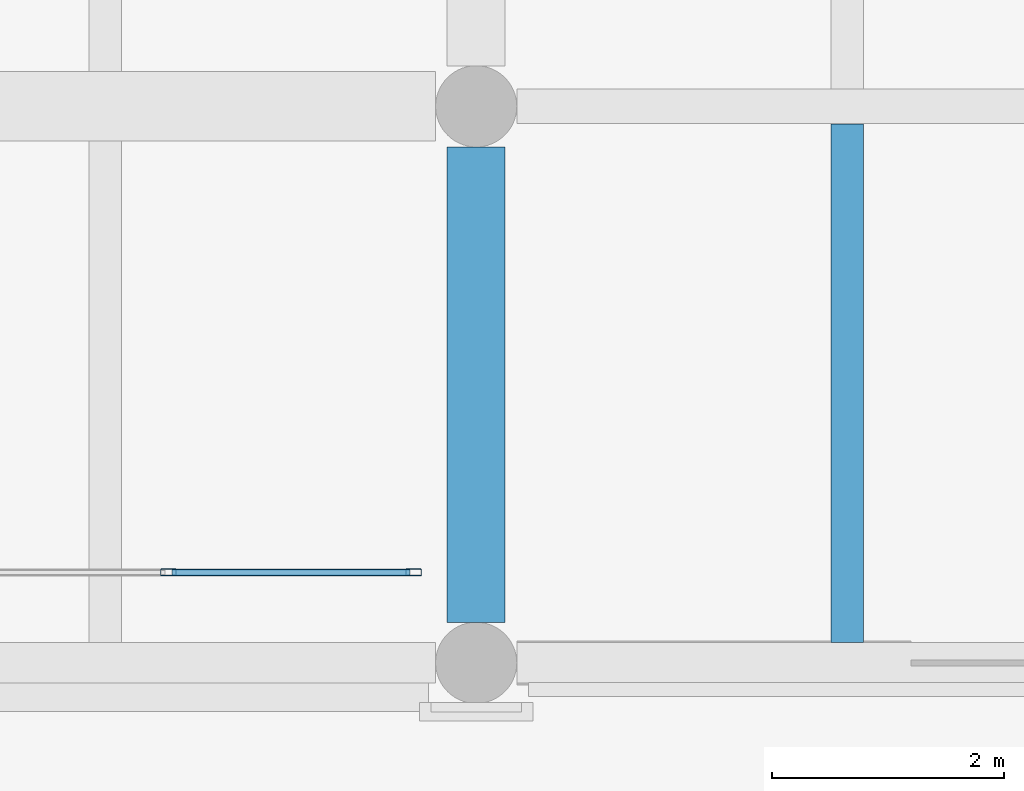
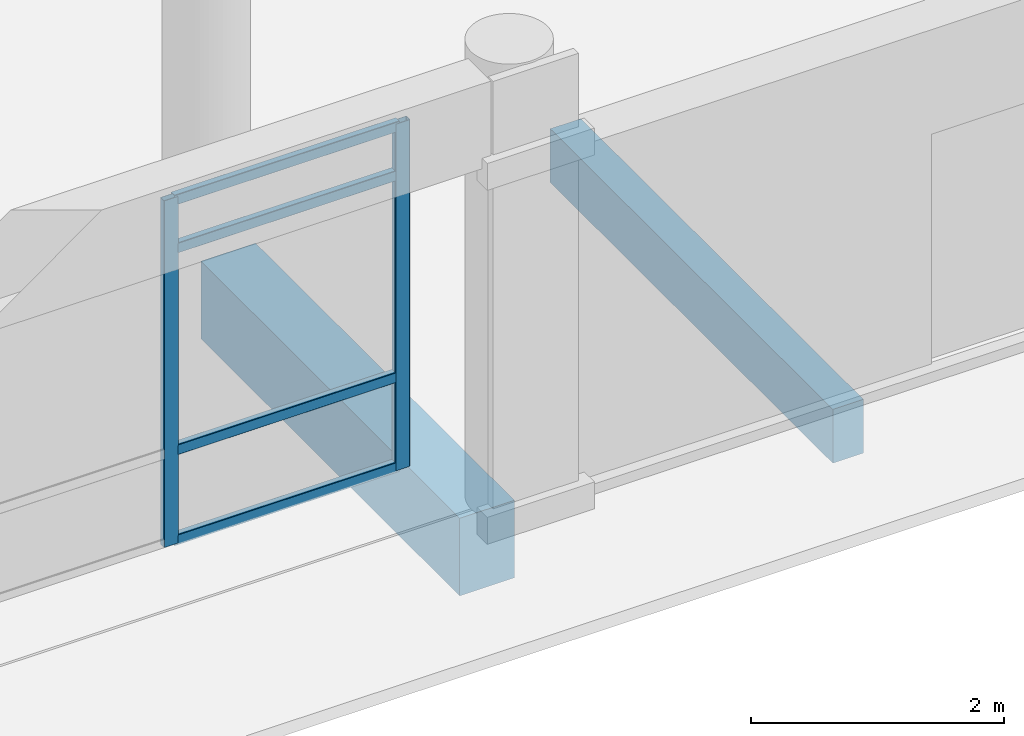
# One storey, part 25 of 196: 6 members, 2 beams, 1 element without a shape of its own.
"""IFC4 building model written with IfcOpenShell, lengths in metres."""

from ifc_helpers import new_model, si_unit, direction, frame, origin, origin_2d, place, context, subcontext, project, spatial, rectangle, hollow_rectangle, extrude, material, layer, layer_set, material_profile, profile_set, type_object, element, aggregate, save


model = new_model("IFC4")

# Units and contexts
model_context = context("Model", 3, precision=1e-05, world=origin(), true_north=direction((0.0, 1.0)))
body_context = subcontext(model_context, "Body", "Model", "MODEL_VIEW")
ifc_project = project(units=[si_unit("LENGTHUNIT", "METRE"), si_unit("AREAUNIT", "SQUARE_METRE"), si_unit("VOLUMEUNIT", "CUBIC_METRE"), si_unit("PLANEANGLEUNIT", "RADIAN"), si_unit("MASSUNIT", "GRAM", prefix="KILO")], contexts=[model_context])

# Site, building, storey
site_placement = place(None, origin())
site = spatial("IfcSite", under=ifc_project, at=site_placement, CompositionType="ELEMENT")
building_placement = place(site_placement, origin())
building = spatial("IfcBuilding", under=site, at=building_placement, Name="Asteropetra Specialist Clinic", CompositionType="ELEMENT")
storey_placement = place(building_placement, origin())
storey = spatial("IfcBuildingStorey", under=building, at=storey_placement, Name="L00", CompositionType="ELEMENT", Elevation=0.0)

# Beam
ifc_material_1 = material(Name="Concrete C35/45", Category="concrete")
ifc_material_profile_1 = material_profile(ifc_material_1, rectangle(XDim=0.5, YDim=0.75, at=origin_2d()), Name="RCB 500x750")
ifc_profile_set_1 = profile_set([ifc_material_profile_1], Name="Concrete C35/45")
beam_type_1 = type_object("IfcBeamType", Name="BM-RC500x750", PredefinedType="BEAM", material=ifc_profile_set_1)
beam_1_placement = place(storey_placement, frame((19.199951171875, 0.35009765625, -0.715087890625), z_axis=(0.0, 1.0, 0.0), x_axis=(-1.0, 0.0, 0.0)))
element("IfcBeam", 1, at=beam_1_placement, inside=storey, type_object=beam_type_1, Name="Beam BBM04-0033", PredefinedType="BEAM", context=body_context, shape_type="SweptSolid", body=[
    extrude(rectangle(XDim=0.5, YDim=0.75, at=origin_2d()), origin(), (0.0, 0.0, 1.0), 4.099853515625),
])

# Curtain wall, members
ifc_material_2 = material(Name="Aluminium and low-E glass", Category="aluminium")
ifc_layer = layer(ifc_material_2, 0.179931640625)
ifc_layer_set = layer_set([ifc_layer], Name="Aluminium and low-E glass")
curtain_wall_type = type_object("IfcCurtainWallType", Name="CW-SYS-10", PredefinedType="USERDEFINED", material=ifc_layer_set)
curtain_wall_placement = place(storey_placement, origin())
curtain_wall = element("IfcCurtainWall", 2, at=curtain_wall_placement, inside=storey, type_object=curtain_wall_type, Name="Curtain Wall CW-122", ObjectType="STICK GLAZED COLONNADE", PredefinedType="USERDEFINED")
ifc_material_3 = material(Name="Aluminium 6063-T6", Category="aluminium")
ifc_material_profile_2 = material_profile(ifc_material_3, hollow_rectangle(XDim=0.06005859375, YDim=0.135009765625, WallThickness=0.00341796875, InnerFilletRadius=0.00341796875, OuterFilletRadius=0.007080078125, at=origin_2d()), Name="MUL 135x60x3.5")
ifc_profile_set_2 = profile_set([ifc_material_profile_2], Name="Aluminium 6063-T6")
member_type_1 = type_object("IfcMemberType", Name="CWM-135x60", PredefinedType="MULLION", material=ifc_profile_set_2)
member_1_placement = place(storey_placement, frame((16.544921875, 0.780029296875, 0.0), z_axis=(0.0, 0.0, 1.0), x_axis=(0.0, 1.0, 0.0)))
member_1 = element("IfcMember", 3, at=member_1_placement, type_object=member_type_1, Name="CW-122 mullion 4", PredefinedType="MULLION", context=body_context, shape_type="SweptSolid", body=[
    extrude(hollow_rectangle(XDim=0.06005859375, YDim=0.135009765625, WallThickness=0.00341796875, InnerFilletRadius=0.00341796875, OuterFilletRadius=0.007080078125, at=origin_2d()), origin(), (0.0, 0.0, 1.0), 3.35009765625),
])
member_2_placement = place(storey_placement, frame((18.659912109375, 0.780029296875, 0.0), z_axis=(0.0, 0.0, 1.0), x_axis=(0.0, 1.0, 0.0)))
member_2 = element("IfcMember", 4, at=member_2_placement, type_object=member_type_1, Name="CW-122 mullion 5", PredefinedType="MULLION", context=body_context, shape_type="SweptSolid", body=[
    extrude(hollow_rectangle(XDim=0.06005859375, YDim=0.135009765625, WallThickness=0.00341796875, InnerFilletRadius=0.00341796875, OuterFilletRadius=0.007080078125, at=origin_2d()), origin(), (0.0, 0.0, 1.0), 3.35009765625),
])
ifc_material_4 = material(Name="Aluminium 6063-T6", Category="aluminium")
ifc_material_profile_3 = material_profile(ifc_material_4, hollow_rectangle(XDim=0.06005859375, YDim=0.10009765625, WallThickness=0.00341796875, InnerFilletRadius=0.00341796875, OuterFilletRadius=0.007080078125, at=origin_2d()), Name="TRN 100x60x3.5")
ifc_profile_set_3 = profile_set([ifc_material_profile_3], Name="Aluminium 6063-T6")
member_type_2 = type_object("IfcMemberType", Name="CWT-100x60", PredefinedType="USERDEFINED", material=ifc_profile_set_3)
member_3_placement = place(storey_placement, frame((16.574951171875, 0.780029296875, 0.030029296875), z_axis=(1.0, 0.0, 0.0), x_axis=(0.0, 1.0, 0.0)))
member_3 = element("IfcMember", 5, at=member_3_placement, type_object=member_type_2, Name="CW-122 transom 4.1", ObjectType="TRANSOM", PredefinedType="USERDEFINED", context=body_context, shape_type="SweptSolid", body=[
    extrude(hollow_rectangle(XDim=0.06005859375, YDim=0.10009765625, WallThickness=0.00341796875, InnerFilletRadius=0.00341796875, OuterFilletRadius=0.007080078125, at=origin_2d()), origin(), (0.0, 0.0, 1.0), 2.054931640625),
])
member_4_placement = place(storey_placement, frame((16.574951171875, 0.780029296875, 0.89990234375), z_axis=(1.0, 0.0, 0.0), x_axis=(0.0, 1.0, 0.0)))
member_4 = element("IfcMember", 6, at=member_4_placement, type_object=member_type_2, Name="CW-122 transom 4.2", ObjectType="TRANSOM", PredefinedType="USERDEFINED", context=body_context, shape_type="SweptSolid", body=[
    extrude(hollow_rectangle(XDim=0.06005859375, YDim=0.10009765625, WallThickness=0.00341796875, InnerFilletRadius=0.00341796875, OuterFilletRadius=0.007080078125, at=origin_2d()), origin(), (0.0, 0.0, 1.0), 2.054931640625),
])
member_5_placement = place(storey_placement, frame((16.574951171875, 0.780029296875, 2.85009765625), z_axis=(1.0, 0.0, 0.0), x_axis=(0.0, 1.0, 0.0)))
member_5 = element("IfcMember", 7, at=member_5_placement, type_object=member_type_2, Name="CW-122 transom 4.3", ObjectType="TRANSOM", PredefinedType="USERDEFINED", context=body_context, shape_type="SweptSolid", body=[
    extrude(hollow_rectangle(XDim=0.06005859375, YDim=0.10009765625, WallThickness=0.00341796875, InnerFilletRadius=0.00341796875, OuterFilletRadius=0.007080078125, at=origin_2d()), origin(), (0.0, 0.0, 1.0), 2.054931640625),
])
member_6_placement = place(storey_placement, frame((16.574951171875, 0.780029296875, 3.320068359375), z_axis=(1.0, 0.0, 0.0), x_axis=(0.0, 1.0, 0.0)))
member_6 = element("IfcMember", 8, at=member_6_placement, type_object=member_type_2, Name="CW-122 transom 4.4", ObjectType="TRANSOM", PredefinedType="USERDEFINED", context=body_context, shape_type="SweptSolid", body=[
    extrude(hollow_rectangle(XDim=0.06005859375, YDim=0.10009765625, WallThickness=0.00341796875, InnerFilletRadius=0.00341796875, OuterFilletRadius=0.007080078125, at=origin_2d()), origin(), (0.0, 0.0, 1.0), 2.054931640625),
])
aggregate(curtain_wall, [member_1, member_2, member_3, member_4, member_5, member_6])

# Beam
ifc_material_5 = material(Name="Concrete C35/45", Category="concrete")
ifc_material_profile_4 = material_profile(ifc_material_5, rectangle(XDim=0.280029296875, YDim=0.52001953125, at=origin_2d()), Name="RCJ 280x520")
ifc_profile_set_4 = profile_set([ifc_material_profile_4], Name="Concrete C35/45")
beam_type_2 = type_object("IfcBeamType", Name="JST-RC280x520", PredefinedType="JOIST", material=ifc_profile_set_4)
beam_2_placement = place(storey_placement, frame((22.39990234375, 0.175048828125, -0.60009765625), z_axis=(0.0, 1.0, 0.0), x_axis=(-1.0, 0.0, 0.0)))
element("IfcBeam", 9, at=beam_2_placement, inside=storey, type_object=beam_type_2, Name="Joist JJST01-0042", PredefinedType="JOIST", context=body_context, shape_type="SweptSolid", body=[
    extrude(rectangle(XDim=0.280029296875, YDim=0.52001953125, at=origin_2d()), origin(), (0.0, 0.0, 1.0), 4.474853515625),
])

save(model, "model.ifc")
